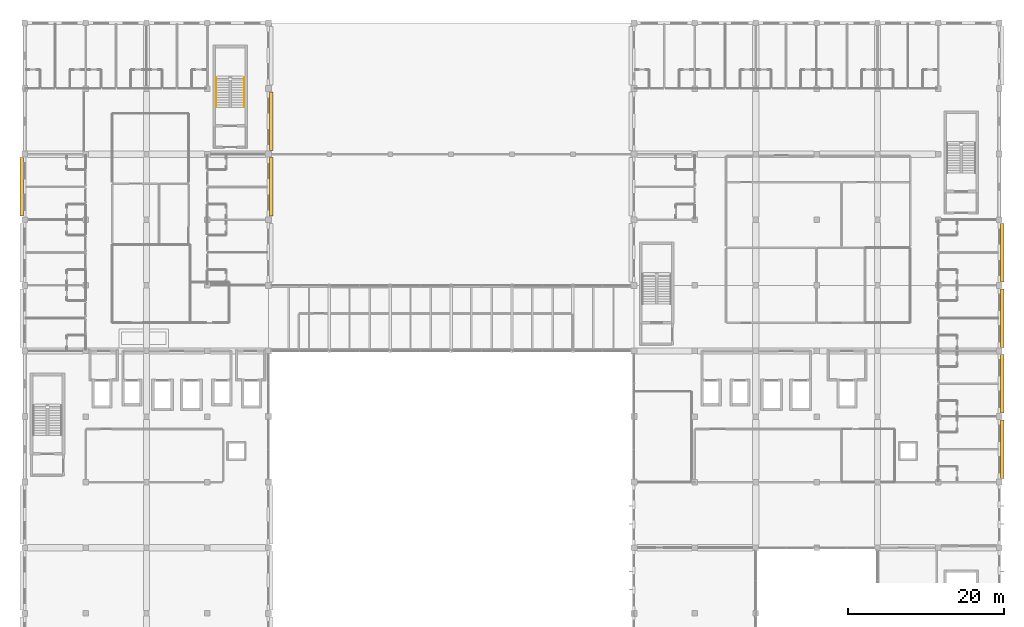
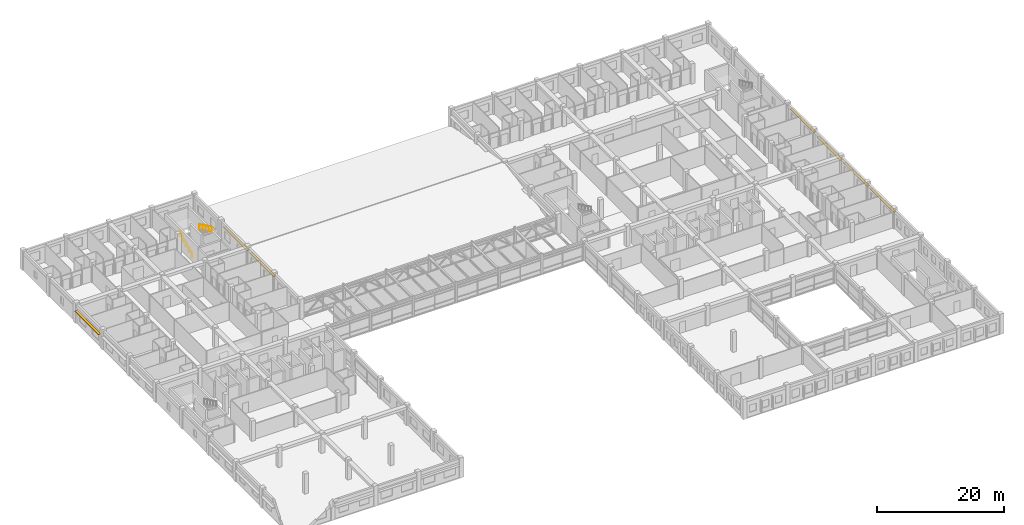
# One storey, part 69 of 72: 7 shading devices, 2 railings.
"""IFC4 building model written with IfcOpenShell, lengths in metres."""

import ifcopenshell
import ifcopenshell.guid

model = None  # the IFC model being written
_history = None  # IfcOwnerHistory: only IFC2X3 demands one
_inside = {}  # id of a spatial element -> (the spatial element, [elements in it])
_under = {}  # id of a project, library or spatial element -> (it, [spatial elements below it])
_declared = {}  # id of a project -> (the project, [libraries it declares])
_typed = {}  # id of a type object -> (the type object, [elements of that type])
_made_of = {}  # id of a material, layer set ... -> (it, [elements and type objects made of it])


def new_model(schema):
    """Start an empty IFC model of exactly this schema.

    Asked for "IFC4X3", IfcOpenShell would pick the latest addendum, in which some entities
    have other attributes; the version numbers below select the first issue.
    IFC2X3 requires an IfcOwnerHistory on every rooted entity: one is made here for all.
    """
    global model, _history
    if schema == "IFC4X3":
        model = ifcopenshell.file(schema_version=(4, 3, 0, 0))
    else:
        model = ifcopenshell.file(schema=schema)
    _inside.clear()
    _under.clear()
    _declared.clear()
    _typed.clear()
    _made_of.clear()
    _history = None
    if model.schema == "IFC2X3":
        org = make("IfcOrganization", Name="unknown")
        user = make(
            "IfcPersonAndOrganization",
            ThePerson=make("IfcPerson", FamilyName="unknown"),
            TheOrganization=org,
        )
        app = make(
            "IfcApplication",
            ApplicationDeveloper=org,
            Version="unknown",
            ApplicationFullName="unknown",
            ApplicationIdentifier="unknown",
        )
        _history = make(
            "IfcOwnerHistory",
            OwningUser=user,
            OwningApplication=app,
            ChangeAction="ADDED",
            CreationDate=0,
        )
    return model


def make(cls, **values):
    """One entity of the class cls with the attributes given. An attribute that is None is left unset."""
    return model.create_entity(
        cls, **{name: value for name, value in values.items() if value is not None}
    )


def rooted(cls, **values):
    """An entity with a GlobalId (a new one), such as an element, a storey or a relation."""
    return make(cls, GlobalId=ifcopenshell.guid.new(), OwnerHistory=_history, **values)


def si_unit(unit_type, name, prefix=None):
    """IfcSIUnit, for example si_unit("LENGTHUNIT", "METRE", prefix="MILLI")."""
    return make("IfcSIUnit", UnitType=unit_type, Prefix=prefix, Name=name)


def assignment(units):
    """IfcUnitAssignment: the units of a project."""
    return None if units is None else make("IfcUnitAssignment", Units=units)


def point(xyz):
    """IfcCartesianPoint."""
    return None if xyz is None else make("IfcCartesianPoint", Coordinates=xyz)


def direction(xyz):
    """IfcDirection."""
    return None if xyz is None else make("IfcDirection", DirectionRatios=xyz)


def frame(location, z_axis=None, x_axis=None):
    """IfcAxis2Placement3D, a coordinate frame: its origin and axes. An axis left out is left unset."""
    return make(
        "IfcAxis2Placement3D",
        Location=point(location),
        Axis=direction(z_axis),
        RefDirection=direction(x_axis),
    )


def frame_2d(location, x_axis=None):
    """IfcAxis2Placement2D, a coordinate frame in the plane: its origin and x axis."""
    return make(
        "IfcAxis2Placement2D", Location=point(location), RefDirection=direction(x_axis)
    )


def origin():
    """The frame at (0, 0, 0) with its axes left unset."""
    return frame((0.0, 0.0, 0.0))


def origin_2d():
    """The frame at (0, 0) in the plane with its x axis left unset."""
    return frame_2d((0.0, 0.0))


def place(relative_to, where):
    """IfcLocalPlacement: puts the frame where relative to a parent placement (None: the world)."""
    return make(
        "IfcLocalPlacement", PlacementRelTo=relative_to, RelativePlacement=where
    )


def context(
    kind, dimensions, precision=None, world=None, true_north=None, identifier=None
):
    """IfcGeometricRepresentationContext, for example the 3D "Model" context."""
    return make(
        "IfcGeometricRepresentationContext",
        ContextIdentifier=identifier,
        ContextType=kind,
        CoordinateSpaceDimension=dimensions,
        Precision=precision,
        WorldCoordinateSystem=world,
        TrueNorth=true_north,
    )


def subcontext(parent, identifier, kind, view, scale=None):
    """IfcGeometricRepresentationSubContext, for example "Body" below "Model"."""
    return make(
        "IfcGeometricRepresentationSubContext",
        ContextIdentifier=identifier,
        ContextType=kind,
        ParentContext=parent,
        TargetScale=scale,
        TargetView=view,
    )


def project(units=None, contexts=None):
    """IfcProject with its units and contexts."""
    return rooted(
        "IfcProject",
        Name="project",
        RepresentationContexts=contexts,
        UnitsInContext=assignment(units),
    )


def spatial(cls, under=None, at=None, **own):
    """A site, building, storey or space (cls), placed at a placement, below another one or the project."""
    s = rooted(cls, ObjectPlacement=at, **own)
    if under is not None:
        _under.setdefault(under.id(), (under, []))[1].append(s)
    return s


def profile(cls, at=None, kind="AREA", **sizes):
    """A parametric profile (cls). Its sizes go by their IFC names, for example OverallWidth=200.0."""
    return make(cls, ProfileType=kind, Position=at, **sizes)


def rectangle(**sizes):
    """IfcRectangleProfileDef."""
    return profile("IfcRectangleProfileDef", **sizes)


def circle(**sizes):
    """IfcCircleProfileDef."""
    return profile("IfcCircleProfileDef", **sizes)


def extrude(swept, where, along, depth):
    """IfcExtrudedAreaSolid: the profile swept, set in the frame where, extruded along a direction by depth."""
    return make(
        "IfcExtrudedAreaSolid",
        SweptArea=swept,
        Position=where,
        ExtrudedDirection=direction(along),
        Depth=depth,
    )


def shape(context_of_items, identifier, shape_type, items):
    """IfcShapeRepresentation: the items that make up one representation, for example the "Body"."""
    return make(
        "IfcShapeRepresentation",
        ContextOfItems=context_of_items,
        RepresentationIdentifier=identifier,
        RepresentationType=shape_type,
        Items=items,
    )


def material(Name=None, Category=None):
    """IfcMaterial."""
    return make("IfcMaterial", Name=Name, Category=Category)


def layer(
    of_material, thickness, ventilated=None, Name=None, Category=None, Priority=None
):
    """IfcMaterialLayer: one layer of a wall or slab, of a material (None: an air gap)."""
    return make(
        "IfcMaterialLayer",
        Material=of_material,
        LayerThickness=thickness,
        IsVentilated=ventilated,
        Name=Name,
        Category=Category,
        Priority=Priority,
    )


def layer_set(layers, Name=None):
    """IfcMaterialLayerSet."""
    return make("IfcMaterialLayerSet", MaterialLayers=layers, LayerSetName=Name)


def made_of(thing, what):
    """Note that an element or type object is made of a material, layer set ...; save() writes the relation."""
    if what is not None:
        _made_of.setdefault(what.id(), (what, []))[1].append(thing)
    return thing


def type_object(cls, material=None, **own):
    """A type object (cls), such as IfcWallType, which elements share."""
    return made_of(rooted(cls, **own), material)


def element(
    cls,
    number,
    at=None,
    inside=None,
    cuts=None,
    type_object=None,
    material=None,
    context=None,
    identifier="Body",
    shape_type=None,
    held_by="IfcProductDefinitionShape",
    body=None,
    shapes=None,
    **own,
):
    """One element of the class cls, such as IfcWall. Its Tag is "e" and its number.

    at: its placement. inside: the storey or other place that contains it. cuts: it is an
    opening in that element (IfcRelVoidsElement). A single representation is given by context,
    identifier, shape_type and body (its items); several are given by shapes. held_by: the class
    of the entity that holds the representations. save() writes the other relations.
    """
    e = rooted(cls, Tag="e%d" % number, ObjectPlacement=at, **own)
    if body is not None:
        shapes = [shape(context, identifier, shape_type, body)]
    if shapes is not None:
        e.Representation = make(held_by, Representations=shapes)
    if inside is not None:
        _inside.setdefault(inside.id(), (inside, []))[1].append(e)
    if cuts is not None:
        rooted(
            "IfcRelVoidsElement", RelatingBuildingElement=cuts, RelatedOpeningElement=e
        )
    if type_object is not None:
        _typed.setdefault(type_object.id(), (type_object, []))[1].append(e)
    return made_of(e, material)


def aggregate(whole, parts):
    """IfcRelAggregates: a whole, such as a stair, and the parts it consists of."""
    return rooted("IfcRelAggregates", RelatingObject=whole, RelatedObjects=parts)


def save(model, path):
    """Write the relations noted so far, then the file.

    IfcRelAggregates (storeys below a building ...), IfcRelContainedInSpatialStructure (elements
    in a storey), IfcRelDefinesByType, IfcRelAssociatesMaterial and IfcRelDeclares: one each for
    every whole, place, type object, material and project.
    """
    for whole, parts in _under.values():
        aggregate(whole, parts)
    for where, things in _inside.values():
        rooted(
            "IfcRelContainedInSpatialStructure",
            RelatedElements=things,
            RelatingStructure=where,
        )
    for kind, things in _typed.values():
        rooted("IfcRelDefinesByType", RelatedObjects=things, RelatingType=kind)
    for what, things in _made_of.values():
        rooted("IfcRelAssociatesMaterial", RelatedObjects=things, RelatingMaterial=what)
    for by, libraries in _declared.values():
        rooted("IfcRelDeclares", RelatingContext=by, RelatedDefinitions=libraries)
    model.write(path)


model = new_model("IFC4")

# Units and contexts
model_context = context("Model", 3, precision=1e-05, world=origin(), true_north=direction((0.0, 1.0)))
body_context = subcontext(model_context, "Body", "Model", "MODEL_VIEW")
ifc_project = project(units=[si_unit("LENGTHUNIT", "METRE"), si_unit("AREAUNIT", "SQUARE_METRE"), si_unit("VOLUMEUNIT", "CUBIC_METRE"), si_unit("PLANEANGLEUNIT", "RADIAN"), si_unit("MASSUNIT", "GRAM", prefix="KILO"), si_unit("THERMODYNAMICTEMPERATUREUNIT", "KELVIN"), si_unit("POWERUNIT", "WATT")], contexts=[model_context])

# Site, building, storey
site_placement = place(None, origin())
site = spatial("IfcSite", under=ifc_project, at=site_placement, CompositionType="ELEMENT")
building_placement = place(site_placement, origin())
building = spatial("IfcBuilding", under=site, at=building_placement, Name="Srebrne Nadtorze General Hospital", CompositionType="ELEMENT")
storey_placement = place(building_placement, frame((0.0, 0.0, 22.199951171875)))
storey = spatial("IfcBuildingStorey", under=building, at=storey_placement, Name="L05", CompositionType="ELEMENT", Elevation=22.199951171875)

# Shading devices
ifc_material_1 = material(Name="Anodised Aluminium", Category="aluminium")
ifc_layer = layer(ifc_material_1, 0.080078125)
ifc_layer_set = layer_set([ifc_layer], Name="Anodised Aluminium")
shading_device_type = type_object("IfcShadingDeviceType", Name="Hisashi horizontal aluminium sunshade", PredefinedType="JALOUSIE", material=ifc_layer_set)
for number, where, z_axis, x_axis, name in (
    (1, (23.0400390625, 71.39990234375, 2.469970703125), (0.0, 0.0, 1.0), (1.0, 0.0, 0.0), "Hisashi horizontal sunshade eave LV-320"),
    (2, (54.9599609375, 71.39990234375, 2.469970703125), (0.0, 0.0, 1.0), (1.0, 0.0, 0.0), "Hisashi horizontal sunshade eave LV-325"),
    (3, (54.9599609375, 79.800048828125, 2.3701171875), (0.0, 0.0, 1.0), (1.0, 0.0, 0.0), "Hisashi horizontal sunshade eave LV-326"),
    (4, (148.56005859375, 37.800048828125, 2.469970703125), (0.0, 0.0, 1.0), (1.0, 0.0, 0.0), "Hisashi horizontal sunshade eave LV-348"),
    (5, (148.56005859375, 46.199951171875, 2.3701171875), (0.0, 0.0, 1.0), (1.0, 0.0, 0.0), "Hisashi horizontal sunshade eave LV-349"),
    (6, (148.56005859375, 54.60009765625, 2.27001953125), (0.0, 0.0, 1.0), (1.0, 0.0, 0.0), "Hisashi horizontal sunshade eave LV-350"),
    (7, (148.56005859375, 63.0, 2.570068359375), (0.0, 0.0, 1.0), (1.0, 0.0, 0.0), "Hisashi horizontal sunshade eave LV-351"),
):
    element("IfcShadingDevice", number, at=place(storey_placement, frame(where, z_axis=z_axis, x_axis=x_axis)), inside=storey, type_object=shading_device_type, Name=name, PredefinedType="JALOUSIE", context=body_context, shape_type="SweptSolid", body=[
        extrude(rectangle(XDim=0.47998046875, YDim=7.489990234375, at=origin_2d()), origin(), (0.0, 0.0, 1.0), 0.080078125),
    ])

# Railings
ifc_material_2 = material(Name="Stainless Steel 316", Category="steel")
railing_type = type_object("IfcRailingType", Name="Tubular stainless handrail 920", PredefinedType="HANDRAIL", material=ifc_material_2)
railing_1_placement = place(storey_placement, frame((47.929931640625, 81.60009765625, 0.150146484375)))
element("IfcRailing", 8, at=railing_1_placement, inside=storey, type_object=railing_type, Name="Stair flight handrail ST-02-L05 F1", PredefinedType="HANDRAIL", context=body_context, shape_type="SweptSolid", body=[
    extrude(circle(Radius=0.02392578125, at=origin_2d()), frame((0.0, 0.0, 0.89599609375), z_axis=(0.0, 0.905469998052, 0.424410276299), x_axis=(-1.0, 0.0, 0.0)), (0.0, 0.0, 1.0), 4.24072265625),
    extrude(circle(Radius=0.02099609375, at=origin_2d()), origin(), (0.0, 0.0, 1.0), 0.871826171875),
    extrude(circle(Radius=0.02099609375, at=origin_2d()), frame((0.0, 0.9599609375, 0.449951171875)), (0.0, 0.0, 1.0), 0.871826171875),
    extrude(circle(Radius=0.02099609375, at=origin_2d()), frame((0.0, 1.919921875, 0.89990234375)), (0.0, 0.0, 1.0), 0.871826171875),
    extrude(circle(Radius=0.02099609375, at=origin_2d()), frame((0.0, 2.8798828125, 1.349853515625)), (0.0, 0.0, 1.0), 0.871826171875),
    extrude(circle(Radius=0.02099609375, at=origin_2d()), frame((0.0, 3.83984375, 1.7998046875)), (0.0, 0.0, 1.0), 0.871826171875),
])
railing_2_placement = place(storey_placement, frame((51.52001953125, 85.43994140625, 2.10009765625)))
element("IfcRailing", 9, at=railing_2_placement, inside=storey, type_object=railing_type, Name="Stair flight handrail ST-02-L05 F2", PredefinedType="HANDRAIL", context=body_context, shape_type="SweptSolid", body=[
    extrude(circle(Radius=0.02392578125, at=origin_2d()), frame((0.0, 0.0, 0.89599609375), z_axis=(0.0, -0.905447873521, 0.424457475297), x_axis=(1.0, 0.0, 0.0)), (0.0, 0.0, 1.0), 4.24072265625),
    extrude(circle(Radius=0.02099609375, at=origin_2d()), origin(), (0.0, 0.0, 1.0), 0.871826171875),
    extrude(circle(Radius=0.02099609375, at=origin_2d()), frame((0.0, -0.9599609375, 0.449951171875)), (0.0, 0.0, 1.0), 0.871826171875),
    extrude(circle(Radius=0.02099609375, at=origin_2d()), frame((0.0, -1.919921875, 0.89990234375)), (0.0, 0.0, 1.0), 0.871826171875),
    extrude(circle(Radius=0.02099609375, at=origin_2d()), frame((0.0, -2.8798828125, 1.35009765625)), (0.0, 0.0, 1.0), 0.871826171875),
    extrude(circle(Radius=0.02099609375, at=origin_2d()), frame((0.0, -3.83984375, 1.800048828125)), (0.0, 0.0, 1.0), 0.871826171875),
])

save(model, "model.ifc")
